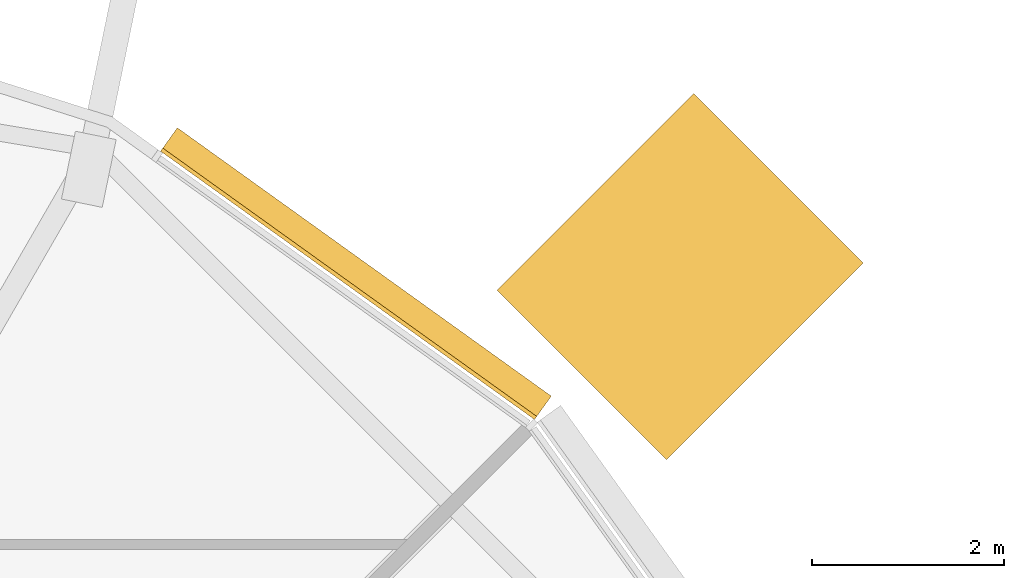
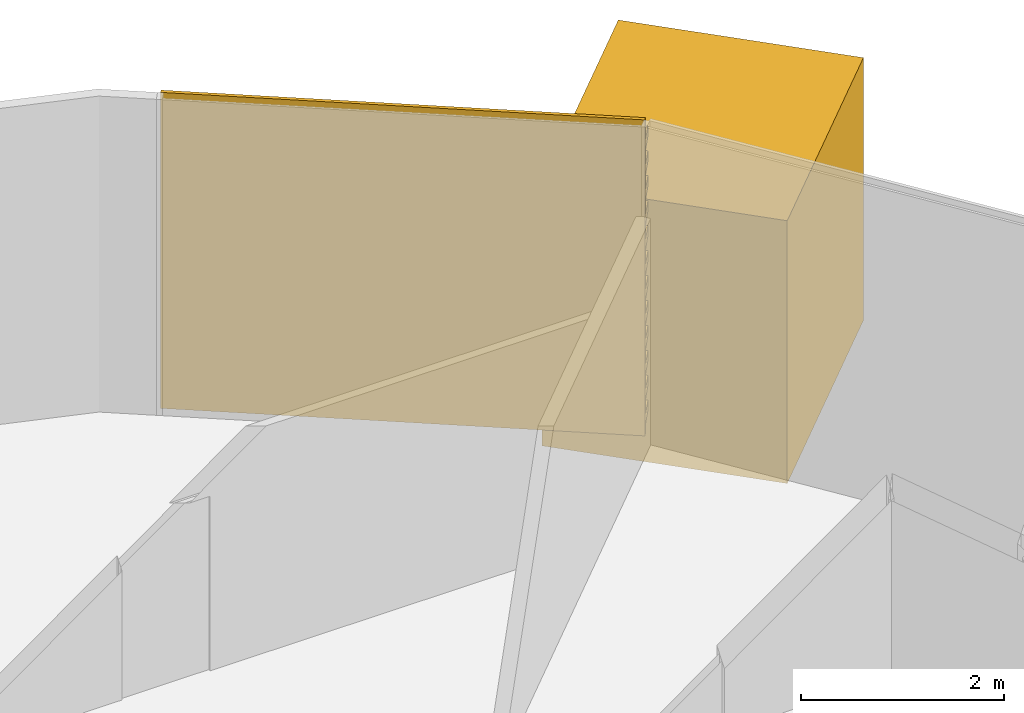
# One storey, part 35 of 35: 2 coverings.
"""IFC4 building model written with IfcOpenShell, lengths in metres."""

from ifc_helpers import new_model, si_unit, direction, frame, origin, place, context, subcontext, project, spatial, polyline, outline, extrude, material, layer, layer_set, material_profile, profile_set, type_object, element, save


model = new_model("IFC4")

# Units and contexts
model_context = context("Model", 3, precision=1e-05, world=origin(), true_north=direction((0.0, 1.0)))
body_context = subcontext(model_context, "Body", "Model", "MODEL_VIEW")
ifc_project = project(units=[si_unit("LENGTHUNIT", "METRE"), si_unit("AREAUNIT", "SQUARE_METRE"), si_unit("VOLUMEUNIT", "CUBIC_METRE"), si_unit("PLANEANGLEUNIT", "RADIAN"), si_unit("MASSUNIT", "GRAM", prefix="KILO")], contexts=[model_context])

# Site, building, storey
site_placement = place(None, origin())
site = spatial("IfcSite", under=ifc_project, at=site_placement, CompositionType="ELEMENT")
building_placement = place(site_placement, origin())
building = spatial("IfcBuilding", under=site, at=building_placement, Name="Rimbun Link Towers", CompositionType="ELEMENT")
storey_placement = place(building_placement, frame((0.0, 0.0, 225.699951171875)))
storey = spatial("IfcBuildingStorey", under=building, at=storey_placement, Name="L55", CompositionType="ELEMENT", Elevation=225.699951171875)

# Coverings
ifc_material_1 = material(Name="Terracotta-faced insulated sandwich panel", Category="masonry")
ifc_layer = layer(ifc_material_1, 0.10009765625)
ifc_layer_set = layer_set([ifc_layer], Name="CAPSULE service module")
covering_type_1 = type_object("IfcCoveringType", Name="CAPSULE service module", PredefinedType="CLADDING", material=ifc_layer_set)
covering_1_placement = place(storey_placement, frame((0.0, 0.0, -0.800048828125)))
element("IfcCovering", 1, at=covering_1_placement, inside=storey, type_object=covering_type_1, Name="CAPSULE D542.04 service module", PredefinedType="CLADDING", context=body_context, shape_type="SweptSolid", body=[
    extrude(outline(polyline([(49.916015625, 16.398193359375), (48.148193359375, 18.166015625), (46.09765625, 16.115478515625), (47.865478515625, 14.34765625), (49.916015625, 16.398193359375)])), origin(), (0.0, 0.0, 1.0), 3.16015625),
])
ifc_material_2 = material(Name="Terracotta", Category="masonry")
ifc_material_profile = material_profile(ifc_material_2, outline(polyline([(0.123046875, 0.0), (0.1630859375, 0.0), (0.1630859375, 0.10009765625), (0.423095703125, 0.10009765625), (0.423095703125, 0.219970703125), (0.1630859375, 0.219970703125), (0.1630859375, 0.39990234375), (0.423095703125, 0.39990234375), (0.423095703125, 0.52001953125), (0.1630859375, 0.52001953125), (0.1630859375, 0.699951171875), (0.423095703125, 0.699951171875), (0.423095703125, 0.820068359375), (0.1630859375, 0.820068359375), (0.1630859375, 1.0), (0.423095703125, 1.0), (0.423095703125, 1.1201171875), (0.1630859375, 1.1201171875), (0.1630859375, 1.300048828125), (0.423095703125, 1.300048828125), (0.423095703125, 1.419921875), (0.1630859375, 1.419921875), (0.1630859375, 1.60009765625), (0.423095703125, 1.60009765625), (0.423095703125, 1.719970703125), (0.1630859375, 1.719970703125), (0.1630859375, 1.89990234375), (0.423095703125, 1.89990234375), (0.423095703125, 2.02001953125), (0.1630859375, 2.02001953125), (0.1630859375, 2.199951171875), (0.423095703125, 2.199951171875), (0.423095703125, 2.320068359375), (0.1630859375, 2.320068359375), (0.1630859375, 2.5), (0.423095703125, 2.5), (0.423095703125, 2.6201171875), (0.1630859375, 2.6201171875), (0.1630859375, 2.800048828125), (0.423095703125, 2.800048828125), (0.423095703125, 2.919921875), (0.1630859375, 2.919921875), (0.1630859375, 3.10009765625), (0.423095703125, 3.10009765625), (0.423095703125, 3.219970703125), (0.1630859375, 3.219970703125), (0.1630859375, 3.39990234375), (0.423095703125, 3.39990234375), (0.423095703125, 3.52001953125), (0.1630859375, 3.52001953125), (0.1630859375, 3.800048828125), (0.123046875, 3.800048828125), (0.123046875, 0.0)])), Name="BAGUETTE 120X300")
ifc_profile_set = profile_set([ifc_material_profile], Name="Terracotta")
covering_type_2 = type_object("IfcCoveringType", Name="TERRACOTTA BAGUETTE 120X300 H3800", PredefinedType="CLADDING", material=ifc_profile_set)
covering_2_placement = place(storey_placement, frame((42.521484375, 17.462890625, 0.0), z_axis=(0.812451741669, -0.583028444811, 0.0), x_axis=(0.583028444811, 0.812451741669, 0.0)))
element("IfcCovering", 2, at=covering_2_placement, inside=storey, type_object=covering_type_2, Name="TERRACOTTA BAGUETTE", PredefinedType="CLADDING", context=body_context, shape_type="SweptSolid", body=[
    extrude(outline(polyline([(0.123046875, 0.0), (0.1630859375, 0.0), (0.1630859375, 0.10009765625), (0.423095703125, 0.10009765625), (0.423095703125, 0.219970703125), (0.1630859375, 0.219970703125), (0.1630859375, 0.39990234375), (0.423095703125, 0.39990234375), (0.423095703125, 0.52001953125), (0.1630859375, 0.52001953125), (0.1630859375, 0.699951171875), (0.423095703125, 0.699951171875), (0.423095703125, 0.820068359375), (0.1630859375, 0.820068359375), (0.1630859375, 1.0), (0.423095703125, 1.0), (0.423095703125, 1.1201171875), (0.1630859375, 1.1201171875), (0.1630859375, 1.300048828125), (0.423095703125, 1.300048828125), (0.423095703125, 1.419921875), (0.1630859375, 1.419921875), (0.1630859375, 1.60009765625), (0.423095703125, 1.60009765625), (0.423095703125, 1.719970703125), (0.1630859375, 1.719970703125), (0.1630859375, 1.89990234375), (0.423095703125, 1.89990234375), (0.423095703125, 2.02001953125), (0.1630859375, 2.02001953125), (0.1630859375, 2.199951171875), (0.423095703125, 2.199951171875), (0.423095703125, 2.320068359375), (0.1630859375, 2.320068359375), (0.1630859375, 2.5), (0.423095703125, 2.5), (0.423095703125, 2.6201171875), (0.1630859375, 2.6201171875), (0.1630859375, 2.800048828125), (0.423095703125, 2.800048828125), (0.423095703125, 2.919921875), (0.1630859375, 2.919921875), (0.1630859375, 3.10009765625), (0.423095703125, 3.10009765625), (0.423095703125, 3.219970703125), (0.1630859375, 3.219970703125), (0.1630859375, 3.39990234375), (0.423095703125, 3.39990234375), (0.423095703125, 3.52001953125), (0.1630859375, 3.52001953125), (0.1630859375, 3.800048828125), (0.123046875, 3.800048828125), (0.123046875, 0.0)])), origin(), (0.0, 0.0, 1.0), 4.795166015625),
])

save(model, "model.ifc")
